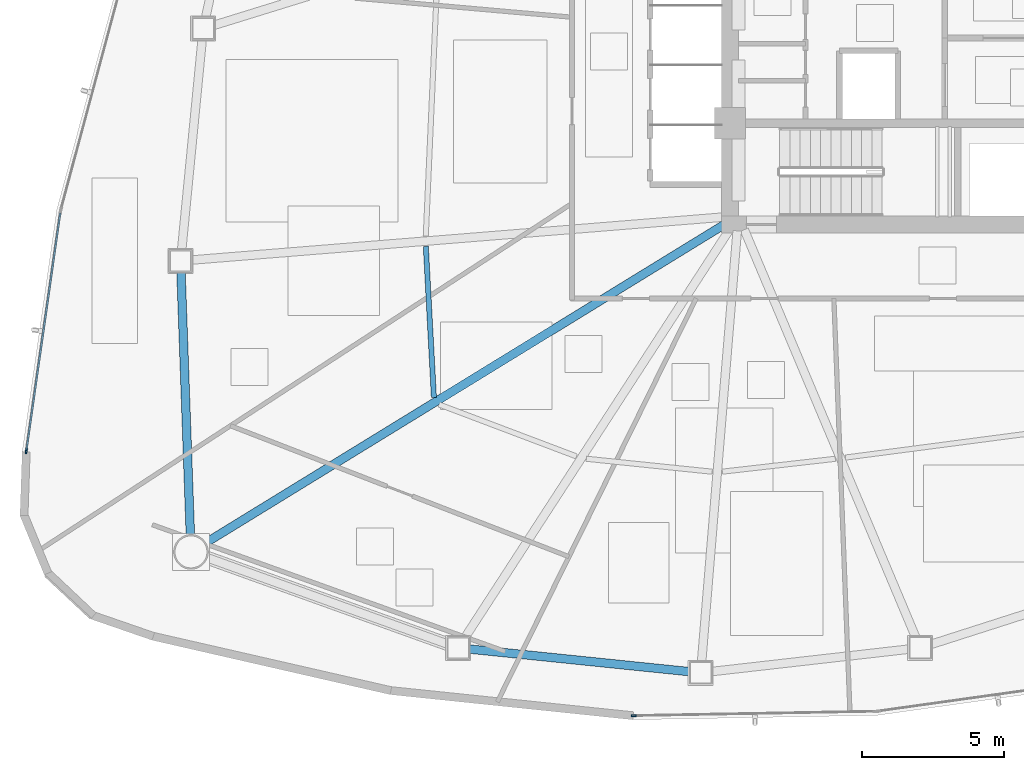
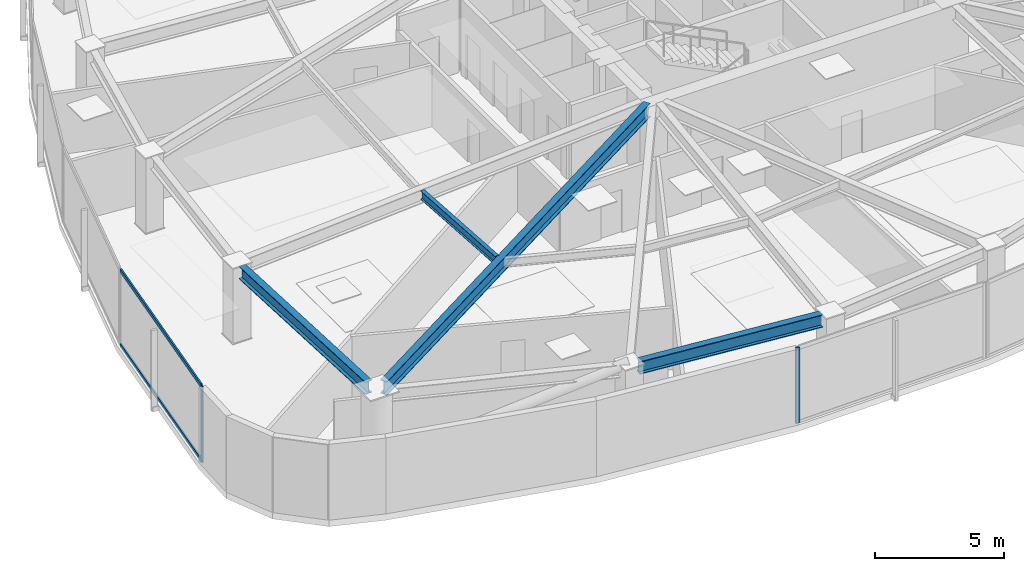
# One storey, part 2 of 17: 4 beams, 4 members, 2 elements without a shape of their own.
"""IFC4 building model written with IfcOpenShell, lengths in metres."""

from ifc_helpers import new_model, si_unit, direction, frame, origin, origin_2d, place, context, subcontext, project, spatial, hollow_rectangle, i_section, extrude, source, transform, mapped, material, layer, layer_set, material_profile, profile_set, type_object, type_shapes, element, aggregate, save


model = new_model("IFC4")

# Units and contexts
model_context = context("Model", 3, precision=1e-05, world=origin(), true_north=direction((0.0, 1.0)))
body_context = subcontext(model_context, "Body", "Model", "MODEL_VIEW")
ifc_project = project(units=[si_unit("LENGTHUNIT", "METRE"), si_unit("AREAUNIT", "SQUARE_METRE"), si_unit("VOLUMEUNIT", "CUBIC_METRE"), si_unit("PLANEANGLEUNIT", "RADIAN"), si_unit("MASSUNIT", "GRAM", prefix="KILO")], contexts=[model_context])

# Site, building, storey
site_placement = place(None, origin())
site = spatial("IfcSite", under=ifc_project, at=site_placement, CompositionType="ELEMENT")
building_placement = place(site_placement, origin())
building = spatial("IfcBuilding", under=site, at=building_placement, Name="Tavelor Broadcast Tower", CompositionType="ELEMENT")
storey_placement = place(building_placement, frame((0.0, 0.0, 43.199951171875)))
storey = spatial("IfcBuildingStorey", under=building, at=storey_placement, Name="L09", CompositionType="ELEMENT", Elevation=43.199951171875)

# Beams
ifc_material_1 = material(Name="Steel S355", Category="steel")
ifc_material_profile_1 = material_profile(ifc_material_1, i_section(OverallWidth=0.179931640625, OverallDepth=0.39990234375, WebThickness=0.008544921875, FlangeThickness=0.013427734375, at=origin_2d()), Name="IPE 400")
ifc_profile_set_1 = profile_set([ifc_material_profile_1], Name="Steel S355")
beam_type_1 = type_object("IfcBeamType", Name="Composite Floor Joist T1 IPE 400", PredefinedType="JOIST", material=ifc_profile_set_1)
beam_1_placement = place(storey_placement, frame((32.413330078125, 37.73095703125, 3.400146484375), z_axis=(0.053261912521, -0.998580576956, 0.0), x_axis=(0.998580576956, 0.053261912521, 0.0)))
element("IfcBeam", 1, at=beam_1_placement, inside=storey, type_object=beam_type_1, Name="L09 Secondary Composite Floor Joist 06", PredefinedType="JOIST", context=body_context, shape_type="SweptSolid", body=[
    extrude(i_section(OverallWidth=0.179931640625, OverallDepth=0.39990234375, WebThickness=0.008544921875, FlangeThickness=0.013427734375, at=origin_2d()), origin(), (0.0, 0.0, 1.0), 5.32177734375),
])
ifc_material_profile_2 = material_profile(ifc_material_1, i_section(OverallWidth=0.300048828125, OverallDepth=0.60009765625, WebThickness=0.015380859375, FlangeThickness=0.030029296875, at=origin_2d()), Name="HEB 600")
ifc_profile_set_2 = profile_set([ifc_material_profile_2], Name="Steel S355")
beam_type_2 = type_object("IfcBeamType", Name="Perimeter Spandrel Beam T1 HEB 600", PredefinedType="SPANDREL", material=ifc_profile_set_2)
beam_2_placement = place(storey_placement, frame((23.808349609375, 36.83251953125, 3.300048828125), z_axis=(0.035604109309, -0.999365972705, 0.0), x_axis=(0.999365972705, 0.035604109309, 0.0)))
element("IfcBeam", 2, at=beam_2_placement, inside=storey, type_object=beam_type_2, Name="L09 Framed-Tube Ring Spandrel 06", PredefinedType="SPANDREL", context=body_context, shape_type="SweptSolid", body=[
    extrude(i_section(OverallWidth=0.300048828125, OverallDepth=0.60009765625, WebThickness=0.015380859375, FlangeThickness=0.030029296875, at=origin_2d()), origin(), (0.0, 0.0, 1.0), 9.263916015625),
])
beam_3_placement = place(storey_placement, frame((33.932861328125, 23.576416015625, 3.300048828125), z_axis=(0.994769619219, -0.102144038879, 0.0), x_axis=(0.102144038879, 0.994769619219, 0.0)))
element("IfcBeam", 3, at=beam_3_placement, inside=storey, type_object=beam_type_2, Name="L09 Framed-Tube Ring Spandrel 08", PredefinedType="SPANDREL", context=body_context, shape_type="SweptSolid", body=[
    extrude(i_section(OverallWidth=0.300048828125, OverallDepth=0.60009765625, WebThickness=0.015380859375, FlangeThickness=0.030029296875, at=origin_2d()), origin(), (0.0, 0.0, 1.0), 7.799072265625),
])
ifc_material_profile_3 = material_profile(ifc_material_1, i_section(OverallWidth=0.300048828125, OverallDepth=0.64990234375, WebThickness=0.01611328125, FlangeThickness=0.031005859375, at=origin_2d()), Name="HEB 650")
ifc_profile_set_3 = profile_set([ifc_material_profile_3], Name="Steel S355")
beam_type_3 = type_object("IfcBeamType", Name="Radial Floor Girder T1 HEB 650", PredefinedType="BEAM", material=ifc_profile_set_3)
beam_4_placement = place(storey_placement, frame((42.949951171875, 38.523681640625, 3.275146484375), z_axis=(-0.852260376483, -0.523117817205, 0.0), x_axis=(0.523117817205, -0.852260376483, 0.0)))
element("IfcBeam", 4, at=beam_4_placement, inside=storey, type_object=beam_type_3, Name="L09 Radial Primary Floor Girder 07", PredefinedType="BEAM", context=body_context, shape_type="SweptSolid", body=[
    extrude(i_section(OverallWidth=0.300048828125, OverallDepth=0.64990234375, WebThickness=0.01611328125, FlangeThickness=0.031005859375, at=origin_2d()), origin(), (0.0, 0.0, 1.0), 21.463134765625),
])

# Curtain wall, member
ifc_material_2 = material(Name="Architectural Anodized Aluminium", Category="aluminium")
ifc_layer = layer(ifc_material_2, 0.179931640625)
ifc_layer_set = layer_set([ifc_layer], Name="Architectural Anodized Aluminium")
curtain_wall_type = type_object("IfcCurtainWallType", Name="Tower Low-Zone Unitised Curtain Wall CW02", PredefinedType="NOTDEFINED", material=ifc_layer_set)
curtain_wall_1_placement = place(storey_placement, origin())
curtain_wall_1 = element("IfcCurtainWall", 5, at=curtain_wall_1_placement, inside=storey, type_object=curtain_wall_type, Name="L09 Curtain Wall CW02 Run 64", PredefinedType="NOTDEFINED")
ifc_material_profile_4 = material_profile(ifc_material_2, hollow_rectangle(XDim=0.06494140625, YDim=0.179931640625, WallThickness=0.02197265625, at=origin_2d()), Name="RHS 65x180x22")
ifc_profile_set_4 = profile_set([ifc_material_profile_4], Name="Architectural Anodized Aluminium")
member_type_1 = type_object("IfcMemberType", Name="CW02 Extruded Aluminium Mullion 65x180", PredefinedType="MULLION", material=ifc_profile_set_4)
shared_shape_1 = source(origin(), body_context, "Body", "SweptSolid", [
    extrude(hollow_rectangle(XDim=0.06494140625, YDim=0.179931640625, WallThickness=0.02197265625, at=origin_2d()), origin(), (0.0, 0.0, 1.0), 3.60009765625),
])
type_shapes(member_type_1, [shared_shape_1])
member_1_placement = place(storey_placement, frame((18.37158203125, 30.53369140625, 0.0), z_axis=(0.0, 0.0, 1.0), x_axis=(0.989964920346, -0.141313327343, 0.0)))
member_1 = element("IfcMember", 6, at=member_1_placement, type_object=member_type_1, Name="CW02 mullion 2", PredefinedType="MULLION", context=body_context, shape_type="MappedRepresentation", body=[
    mapped(shared_shape_1, transform((0.0, 0.0, 0.0), scale=1.0)),
])

curtain_wall_2_placement = place(storey_placement, origin())
curtain_wall_2 = element("IfcCurtainWall", 7, at=curtain_wall_2_placement, inside=storey, type_object=curtain_wall_type, Name="L09 Curtain Wall CW02 Run 65", PredefinedType="NOTDEFINED")
member_2_placement = place(storey_placement, frame((39.72509765625, 21.231201171875, 0.0), z_axis=(0.0, 0.0, 1.0), x_axis=(-0.017889989842, 0.999839961326, 0.0)))
member_2 = element("IfcMember", 8, at=member_2_placement, type_object=member_type_1, Name="CW02 mullion 1", PredefinedType="MULLION", context=body_context, shape_type="MappedRepresentation", body=[
    mapped(shared_shape_1, transform((0.0, 0.0, 0.0), scale=1.0)),
])
aggregate(curtain_wall_2, [member_2])

# Member
ifc_material_profile_5 = material_profile(ifc_material_2, hollow_rectangle(XDim=0.06494140625, YDim=0.179931640625, WallThickness=0.02197265625, at=origin_2d()), Name="RHS 65x180x22")
ifc_profile_set_5 = profile_set([ifc_material_profile_5], Name="Architectural Anodized Aluminium")
member_type_2 = type_object("IfcMemberType", Name="CW02 Extruded Aluminium Transom 65x180", PredefinedType="USERDEFINED", material=ifc_profile_set_5)
shared_shape_2 = source(origin(), body_context, "Body", "SweptSolid", [
    extrude(hollow_rectangle(XDim=0.06494140625, YDim=0.179931640625, WallThickness=0.02197265625, at=origin_2d()), origin(), (0.0, 0.0, 1.0), 8.42333984375),
])
type_shapes(member_type_2, [shared_shape_2])
member_3_placement = place(storey_placement, frame((19.56640625, 38.90478515625, 0.032470703125), z_axis=(-0.1413239707, -0.989963400993, 0.0), x_axis=(0.989963400993, -0.1413239707, 0.0)))
member_3 = element("IfcMember", 9, at=member_3_placement, type_object=member_type_2, Name="CW02 transom 1.1", ObjectType="TRANSOM", PredefinedType="USERDEFINED", context=body_context, shape_type="MappedRepresentation", body=[
    mapped(shared_shape_2, transform((0.0, 0.0, 0.0), scale=1.0)),
])

member_4_placement = place(storey_placement, frame((19.56640625, 38.90478515625, 3.567626953125), z_axis=(-0.1413239707, -0.989963400993, 0.0), x_axis=(0.989963400993, -0.1413239707, 0.0)))
member_4 = element("IfcMember", 10, at=member_4_placement, type_object=member_type_2, Name="CW02 transom 1.2", ObjectType="TRANSOM", PredefinedType="USERDEFINED", context=body_context, shape_type="MappedRepresentation", body=[
    mapped(shared_shape_2, transform((0.0, 0.0, 0.0), scale=1.0)),
])

aggregate(curtain_wall_1, [member_1, member_3, member_4])

save(model, "model.ifc")
